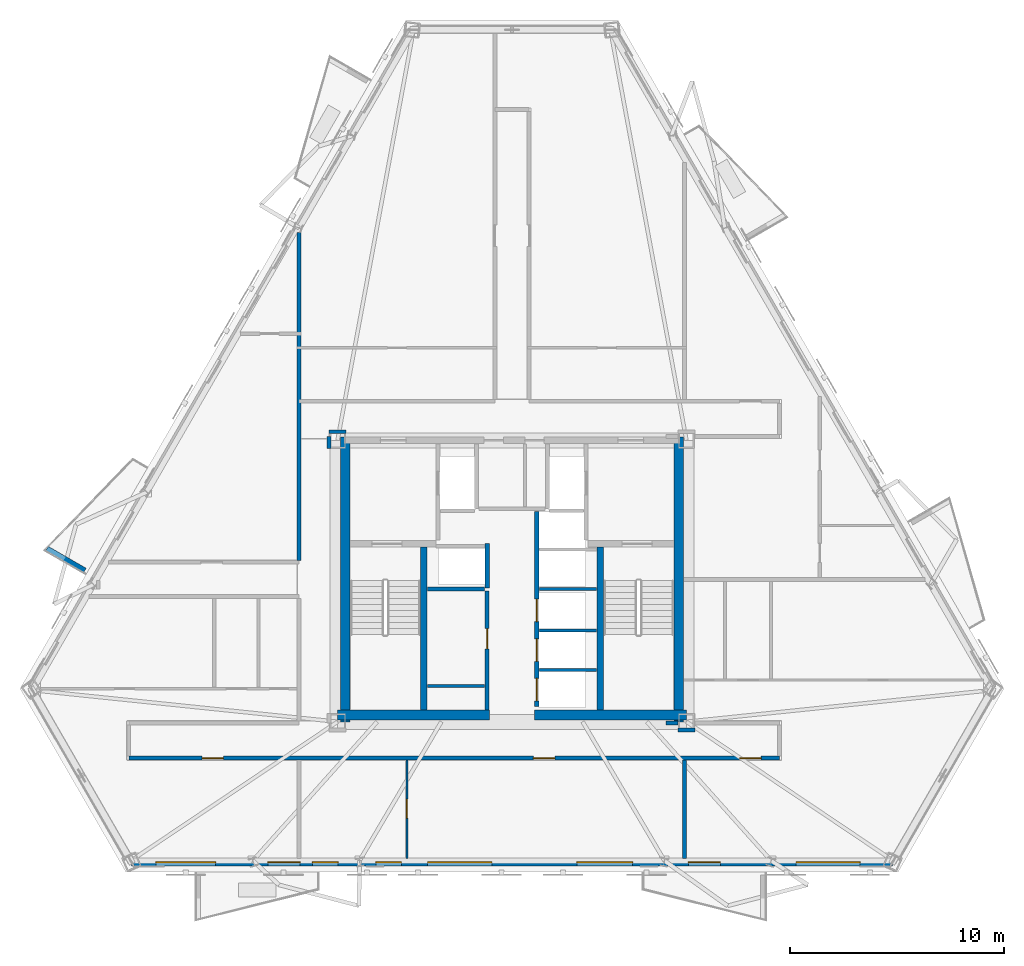
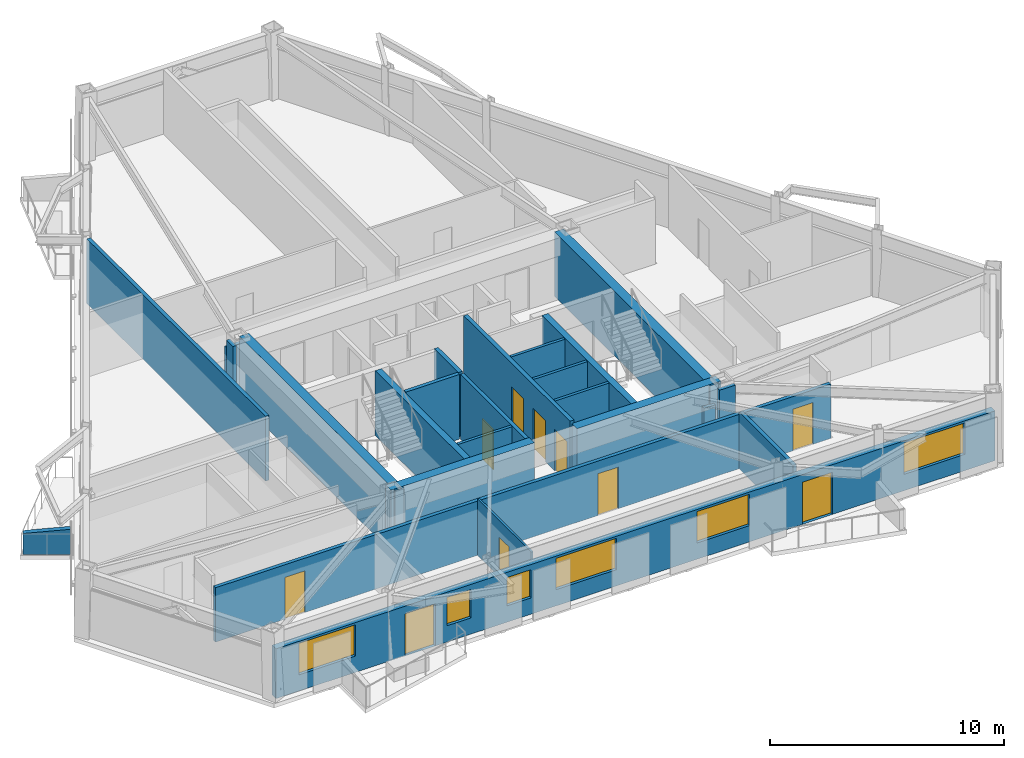
# One storey, part 3 of 9: 24 walls, 10 doors, 6 windows, 16 openings.
"""IFC4 building model written with IfcOpenShell, lengths in metres."""

from ifc_helpers import new_model, si_unit, direction, frame, frame_2d, origin, place, context, subcontext, project, spatial, polyline, rectangle, outline, extrude, material, layer, layer_set, type_object, element, fill, save


model = new_model("IFC4")

# Units and contexts
model_context = context("Model", 3, precision=1e-05, world=origin(), true_north=direction((0.0, 1.0)))
body_context = subcontext(model_context, "Body", "Model", "MODEL_VIEW")
ifc_project = project(units=[si_unit("LENGTHUNIT", "METRE"), si_unit("AREAUNIT", "SQUARE_METRE"), si_unit("VOLUMEUNIT", "CUBIC_METRE"), si_unit("PLANEANGLEUNIT", "RADIAN"), si_unit("MASSUNIT", "GRAM", prefix="KILO")], contexts=[model_context])

# Site, building, storey
site_placement = place(None, origin())
site = spatial("IfcSite", under=ifc_project, at=site_placement, CompositionType="ELEMENT")
building_placement = place(site_placement, origin())
building = spatial("IfcBuilding", under=site, at=building_placement, Name="Oramaril Tower", CompositionType="ELEMENT")
storey_placement = place(building_placement, frame((0.0, 0.0, 153.0)))
storey = spatial("IfcBuildingStorey", under=building, at=storey_placement, Name="L40", CompositionType="ELEMENT", Elevation=153.0)

# Wall, openings, doors, windows
ifc_material_1 = material(Name="Warm Cream Limestone", Category="masonry")
ifc_layer_1 = layer(ifc_material_1, 0.340087890625)
ifc_layer_set_1 = layer_set([ifc_layer_1], Name="WT-EXT34")
wall_type_1 = type_object("IfcWallType", Name="WT-EXT34", PredefinedType="SOLIDWALL", material=ifc_layer_set_1)
wall_1_placement = place(storey_placement, frame((19.730224609375, 4.43408203125, 0.0), z_axis=(0.0, 0.0, 1.0), x_axis=(1.0, 0.0, 0.0)))
wall_1 = element("IfcWall", 1, at=wall_1_placement, inside=storey, type_object=wall_type_1, Name="L40 Tower Limestone Facade Wall 2M", PredefinedType="SOLIDWALL", context=body_context, shape_type="SweptSolid", body=[
    extrude(rectangle(XDim=35.53955078125, YDim=0.340087890625, at=frame_2d((17.769775390625, 0.0))), origin(), (0.0, 0.0, 1.0), 2.60009765625),
])
opening_1_placement = place(wall_1_placement, frame((6.369384765625, 0.0, 0.0)))
opening_1 = element("IfcOpeningElement", 2, at=opening_1_placement, cuts=wall_1, Name="Opening D-L40-BAL-S1", PredefinedType="OPENING", context=body_context, shape_type="SweptSolid", body=[
    extrude(rectangle(XDim=1.5, YDim=2.199951171875, at=frame_2d((0.75, 1.10009765625))), frame((0.0, 0.169921875, 0.0), z_axis=(0.0, -1.0, 0.0), x_axis=(1.0, 0.0, 0.0)), (0.0, 0.0, 1.0), 0.340087890625),
])
opening_2_placement = place(wall_1_placement, frame((26.005126953125, 0.0, 0.0)))
opening_2 = element("IfcOpeningElement", 3, at=opening_2_placement, cuts=wall_1, Name="Opening D-L40-BAL-S2", PredefinedType="OPENING", context=body_context, shape_type="SweptSolid", body=[
    extrude(rectangle(XDim=1.5, YDim=2.199951171875, at=frame_2d((0.75, 1.10009765625))), frame((0.0, 0.169921875, 0.0), z_axis=(0.0, -1.0, 0.0), x_axis=(1.0, 0.0, 0.0)), (0.0, 0.0, 1.0), 0.340087890625),
])
opening_3_placement = place(wall_1_placement, frame((13.828369140625, 0.0, 0.85009765625)))
opening_3 = element("IfcOpeningElement", 4, at=opening_3_placement, cuts=wall_1, Name="Opening WN-10", PredefinedType="OPENING", context=body_context, shape_type="SweptSolid", body=[
    extrude(rectangle(XDim=3.0, YDim=1.639892578125, at=frame_2d((1.5, 0.81982421875))), frame((0.0, 0.169921875, 0.0), z_axis=(0.0, -1.0, 0.0), x_axis=(1.0, 0.0, 0.0)), (0.0, 0.0, 1.0), 0.340087890625),
])
opening_4_placement = place(wall_1_placement, frame((20.80517578125, 0.0, 0.85009765625)))
opening_4 = element("IfcOpeningElement", 5, at=opening_4_placement, cuts=wall_1, Name="Opening WN-02", PredefinedType="OPENING", context=body_context, shape_type="SweptSolid", body=[
    extrude(rectangle(XDim=2.60009765625, YDim=1.639892578125, at=frame_2d((1.300048828125, 0.81982421875))), frame((0.0, 0.169921875, 0.0), z_axis=(0.0, -1.0, 0.0), x_axis=(1.0, 0.0, 0.0)), (0.0, 0.0, 1.0), 0.340087890625),
])
opening_5_placement = place(wall_1_placement, frame((8.446533203125, 0.0, 0.85009765625)))
opening_5 = element("IfcOpeningElement", 6, at=opening_5_placement, cuts=wall_1, Name="Opening WN-09", PredefinedType="OPENING", context=body_context, shape_type="SweptSolid", body=[
    extrude(rectangle(XDim=1.199951171875, YDim=1.47998046875, at=frame_2d((0.60009765625, 0.739990234375))), frame((0.0, 0.169921875, 0.0), z_axis=(0.0, -1.0, 0.0), x_axis=(1.0, 0.0, 0.0)), (0.0, 0.0, 1.0), 0.340087890625),
])
opening_6_placement = place(wall_1_placement, frame((11.406982421875, 0.0, 0.85009765625)))
opening_6 = element("IfcOpeningElement", 7, at=opening_6_placement, cuts=wall_1, Name="Opening WN-09", PredefinedType="OPENING", context=body_context, shape_type="SweptSolid", body=[
    extrude(rectangle(XDim=1.199951171875, YDim=1.47998046875, at=frame_2d((0.60009765625, 0.739990234375))), frame((0.0, 0.169921875, 0.0), z_axis=(0.0, -1.0, 0.0), x_axis=(1.0, 0.0, 0.0)), (0.0, 0.0, 1.0), 0.340087890625),
])
opening_7_placement = place(wall_1_placement, frame((1.130615234375, 0.0, 0.85009765625)))
opening_7 = element("IfcOpeningElement", 8, at=opening_7_placement, cuts=wall_1, Name="Opening WN-01", PredefinedType="OPENING", context=body_context, shape_type="SweptSolid", body=[
    extrude(rectangle(XDim=2.800048828125, YDim=1.639892578125, at=frame_2d((1.39990234375, 0.81982421875))), frame((0.0, 0.169921875, 0.0), z_axis=(0.0, -1.0, 0.0), x_axis=(1.0, 0.0, 0.0)), (0.0, 0.0, 1.0), 0.340087890625),
])
opening_8_placement = place(wall_1_placement, frame((31.03662109375, 0.0, 0.85009765625)))
opening_8 = element("IfcOpeningElement", 9, at=opening_8_placement, cuts=wall_1, Name="Opening WN-10", PredefinedType="OPENING", context=body_context, shape_type="SweptSolid", body=[
    extrude(rectangle(XDim=3.0, YDim=1.639892578125, at=frame_2d((1.5, 0.81982421875))), frame((0.0, 0.169921875, 0.0), z_axis=(0.0, -1.0, 0.0), x_axis=(1.0, 0.0, 0.0)), (0.0, 0.0, 1.0), 0.340087890625),
])
ifc_material_2 = material(Name="Anodised Aluminium 6063-T6", Category="aluminium")
door_type_1 = type_object("IfcDoorType", Name="DT-BAL", OperationType="NOTDEFINED", PredefinedType="DOOR", material=ifc_material_2)
door_1_placement = place(opening_1_placement, origin())
door_1 = element("IfcDoor", 10, at=door_1_placement, inside=storey, type_object=door_type_1, Name="L40 Balcony Glazed Door L40-BAL-S1", OperationType="SINGLE_SWING_LEFT", OverallHeight=2.199951171875, OverallWidth=1.5, PredefinedType="DOOR", context=body_context, shape_type="SweptSolid", body=[
    extrude(rectangle(XDim=1.5, YDim=2.199951171875, at=frame_2d((0.75, 1.10009765625))), frame((0.0, 0.02490234375, 0.0), z_axis=(0.0, -1.0, 0.0), x_axis=(1.0, 0.0, 0.0)), (0.0, 0.0, 1.0), 0.050048828125),
])
fill(opening_1, door_1)
door_2_placement = place(opening_2_placement, origin())
door_2 = element("IfcDoor", 11, at=door_2_placement, inside=storey, type_object=door_type_1, Name="L40 Balcony Glazed Door L40-BAL-S2", OperationType="SINGLE_SWING_RIGHT", OverallHeight=2.199951171875, OverallWidth=1.5, PredefinedType="DOOR", context=body_context, shape_type="SweptSolid", body=[
    extrude(rectangle(XDim=1.5, YDim=2.199951171875, at=frame_2d((0.75, 1.10009765625))), frame((0.0, 0.02490234375, 0.0), z_axis=(0.0, -1.0, 0.0), x_axis=(1.0, 0.0, 0.0)), (0.0, 0.0, 1.0), 0.050048828125),
])
fill(opening_2, door_2)
ifc_material_3 = material(Name="Coastal Low-E Insulated Glass", Category="glass")
window_type_1 = type_object("IfcWindowType", Name="WNT-01", PartitioningType="SINGLE_PANEL", PredefinedType="WINDOW", material=ifc_material_3)
window_1_placement = place(opening_7_placement, origin())
window_1 = element("IfcWindow", 12, at=window_1_placement, inside=storey, type_object=window_type_1, Name="L40 Chicago Bay Window WN-01", OverallHeight=1.639892578125, OverallWidth=2.800048828125, PartitioningType="SINGLE_PANEL", PredefinedType="WINDOW", context=body_context, shape_type="SweptSolid", body=[
    extrude(rectangle(XDim=2.800048828125, YDim=1.639892578125, at=frame_2d((1.39990234375, 0.81982421875))), frame((0.0, 0.030029296875, 0.0), z_axis=(0.0, -1.0, 0.0), x_axis=(1.0, 0.0, 0.0)), (0.0, 0.0, 1.0), 0.06005859375),
])
fill(opening_7, window_1)
ifc_material_4 = material(Name="Coastal Low-E Insulated Glass", Category="glass")
window_type_2 = type_object("IfcWindowType", Name="WNT-02", PartitioningType="SINGLE_PANEL", PredefinedType="WINDOW", material=ifc_material_4)
window_2_placement = place(opening_4_placement, origin())
window_2 = element("IfcWindow", 13, at=window_2_placement, inside=storey, type_object=window_type_2, Name="L40 Chicago Bay Window WN-02", OverallHeight=1.639892578125, OverallWidth=2.60009765625, PartitioningType="SINGLE_PANEL", PredefinedType="WINDOW", context=body_context, shape_type="SweptSolid", body=[
    extrude(rectangle(XDim=2.60009765625, YDim=1.639892578125, at=frame_2d((1.300048828125, 0.81982421875))), frame((0.0, 0.030029296875, 0.0), z_axis=(0.0, -1.0, 0.0), x_axis=(1.0, 0.0, 0.0)), (0.0, 0.0, 1.0), 0.06005859375),
])
fill(opening_4, window_2)
ifc_material_5 = material(Name="Coastal Low-E Insulated Glass", Category="glass")
window_type_3 = type_object("IfcWindowType", Name="WNT-09", PartitioningType="SINGLE_PANEL", PredefinedType="WINDOW", material=ifc_material_5)
window_3_placement = place(opening_5_placement, origin())
window_3 = element("IfcWindow", 14, at=window_3_placement, inside=storey, type_object=window_type_3, Name="L40 Chicago Bay Window WN-09", OverallHeight=1.47998046875, OverallWidth=1.199951171875, PartitioningType="SINGLE_PANEL", PredefinedType="WINDOW", context=body_context, shape_type="SweptSolid", body=[
    extrude(rectangle(XDim=1.199951171875, YDim=1.47998046875, at=frame_2d((0.60009765625, 0.739990234375))), frame((0.0, 0.030029296875, 0.0), z_axis=(0.0, -1.0, 0.0), x_axis=(1.0, 0.0, 0.0)), (0.0, 0.0, 1.0), 0.06005859375),
])
fill(opening_5, window_3)
window_4_placement = place(opening_6_placement, origin())
window_4 = element("IfcWindow", 15, at=window_4_placement, inside=storey, type_object=window_type_3, Name="L40 Chicago Bay Window WN-09", OverallHeight=1.47998046875, OverallWidth=1.199951171875, PartitioningType="SINGLE_PANEL", PredefinedType="WINDOW", context=body_context, shape_type="SweptSolid", body=[
    extrude(rectangle(XDim=1.199951171875, YDim=1.47998046875, at=frame_2d((0.60009765625, 0.739990234375))), frame((0.0, 0.030029296875, 0.0), z_axis=(0.0, -1.0, 0.0), x_axis=(1.0, 0.0, 0.0)), (0.0, 0.0, 1.0), 0.06005859375),
])
fill(opening_6, window_4)
ifc_material_6 = material(Name="Coastal Low-E Insulated Glass", Category="glass")
window_type_4 = type_object("IfcWindowType", Name="WNT-10", PartitioningType="SINGLE_PANEL", PredefinedType="WINDOW", material=ifc_material_6)
window_5_placement = place(opening_3_placement, origin())
window_5 = element("IfcWindow", 16, at=window_5_placement, inside=storey, type_object=window_type_4, Name="L40 Chicago Bay Window WN-10", OverallHeight=1.639892578125, OverallWidth=3.0, PartitioningType="SINGLE_PANEL", PredefinedType="WINDOW", context=body_context, shape_type="SweptSolid", body=[
    extrude(rectangle(XDim=3.0, YDim=1.639892578125, at=frame_2d((1.5, 0.81982421875))), frame((0.0, 0.030029296875, 0.0), z_axis=(0.0, -1.0, 0.0), x_axis=(1.0, 0.0, 0.0)), (0.0, 0.0, 1.0), 0.06005859375),
])
fill(opening_3, window_5)
window_6_placement = place(opening_8_placement, origin())
window_6 = element("IfcWindow", 17, at=window_6_placement, inside=storey, type_object=window_type_4, Name="L40 Chicago Bay Window WN-10", OverallHeight=1.639892578125, OverallWidth=3.0, PartitioningType="SINGLE_PANEL", PredefinedType="WINDOW", context=body_context, shape_type="SweptSolid", body=[
    extrude(rectangle(XDim=3.0, YDim=1.639892578125, at=frame_2d((1.5, 0.81982421875))), frame((0.0, 0.030029296875, 0.0), z_axis=(0.0, -1.0, 0.0), x_axis=(1.0, 0.0, 0.0)), (0.0, 0.0, 1.0), 0.06005859375),
])
fill(opening_8, window_6)

# Wall
ifc_material_7 = material(Name="Concrete C40/50", Category="concrete")
ifc_layer_2 = layer(ifc_material_7, 0.22998046875)
ifc_layer_set_2 = layer_set([ifc_layer_2], Name="WT-PRP23")
wall_type_2 = type_object("IfcWallType", Name="WT-PRP23", PredefinedType="PARAPET", material=ifc_layer_set_2)
wall_2_placement = place(storey_placement, frame((17.5498046875, 18.0732421875, 0.0), z_axis=(0.0, 0.0, 1.0), x_axis=(-0.866012356593, 0.500022597718, 0.0)))
element("IfcWall", 18, at=wall_2_placement, inside=storey, type_object=wall_type_2, Name="L40 Trapezoidal Balcony Frame Cheek L40-BAL-NW2-R", PredefinedType="PARAPET", context=body_context, shape_type="SweptSolid", body=[
    extrude(outline(polyline([(0.0, 0.0), (2.0419921875, 0.0), (2.0419921875, 1.10009765625), (0.0, 1.320068359375), (0.0, 0.0)])), frame((0.0, 0.114990234375, 0.0), z_axis=(0.0, -1.0, 0.0), x_axis=(1.0, 0.0, 0.0)), (0.0, 0.0, 1.0), 0.22998046875),
])

# Wall, opening, door
ifc_material_8 = material(Name="Acoustic Gypsum Board Partition")
ifc_layer_3 = layer(ifc_material_8, 0.10009765625)
ifc_layer_set_3 = layer_set([ifc_layer_3], Name="WT-PT10")
wall_type_3 = type_object("IfcWallType", Name="WT-PT10", PredefinedType="PARTITIONING", material=ifc_layer_set_3)
wall_3_placement = place(storey_placement, frame((32.590087890625, 4.608154296875, 0.0), z_axis=(0.0, 0.0, 1.0), x_axis=(0.0, 1.0, 0.0)))
wall_3 = element("IfcWall", 19, at=wall_3_placement, inside=storey, type_object=wall_type_3, Name="L40 Interior Partition PT-10", PredefinedType="PARTITIONING", context=body_context, shape_type="SweptSolid", body=[
    extrude(rectangle(XDim=4.597900390625, YDim=0.10009765625, at=frame_2d((2.298828125, 0.0))), origin(), (0.0, 0.0, 1.0), 2.966064453125),
])
opening_9_placement = place(wall_3_placement, frame((1.89404296875, 0.0, 0.0)))
opening_9 = element("IfcOpeningElement", 20, at=opening_9_placement, cuts=wall_3, Name="Opening D-L40-15", PredefinedType="OPENING", context=body_context, shape_type="SweptSolid", body=[
    extrude(rectangle(XDim=0.8798828125, YDim=2.080078125, at=frame_2d((0.43994140625, 1.0400390625))), frame((0.0, 0.050048828125, 0.0), z_axis=(0.0, -1.0, 0.0), x_axis=(1.0, 0.0, 0.0)), (0.0, 0.0, 1.0), 0.10009765625),
])
ifc_material_9 = material(Name="FSC Brazilian Freijo Hardwood", Category="wood")
door_type_2 = type_object("IfcDoorType", Name="DT-BATH", OperationType="NOTDEFINED", PredefinedType="DOOR", material=ifc_material_9)
door_3_placement = place(opening_9_placement, origin())
door_3 = element("IfcDoor", 21, at=door_3_placement, inside=storey, type_object=door_type_2, Name="L40 Flat L40-U1 Bathroom Door D-L40-15", OperationType="SINGLE_SWING_LEFT", OverallHeight=2.080078125, OverallWidth=0.8798828125, PredefinedType="DOOR", context=body_context, shape_type="SweptSolid", body=[
    extrude(rectangle(XDim=0.8798828125, YDim=2.080078125, at=frame_2d((0.43994140625, 1.0400390625))), frame((0.0, 0.02490234375, 0.0), z_axis=(0.0, -1.0, 0.0), x_axis=(1.0, 0.0, 0.0)), (0.0, 0.0, 1.0), 0.050048828125),
])
fill(opening_9, door_3)

# Walls
ifc_material_10 = material(Name="Acoustic Gypsum Board Partition")
ifc_layer_4 = layer(ifc_material_10, 0.139892578125)
ifc_layer_set_4 = layer_set([ifc_layer_4], Name="WT-PT14")
wall_type_4 = type_object("IfcWallType", Name="WT-PT14", PredefinedType="PARTITIONING", material=ifc_layer_set_4)
for number, where, z_axis, x_axis, name in (
    (22, (33.56005859375, 12.679931640625, 0.0), (0.0, 0.0, 1.0), (1.0, 0.0, 0.0), "L40 Freed Shaft South Closure"),
    (23, (38.780029296875, 13.419921875, 0.0), (0.0, 0.0, 1.0), (1.0, 0.0, 0.0), "L40 East Lift Divider"),
    (24, (38.780029296875, 15.27001953125, 0.0), (0.0, 0.0, 1.0), (1.0, 0.0, 0.0), "L40 East Lift Divider"),
    (25, (38.780029296875, 17.199951171875, 0.0), (0.0, 0.0, 1.0), (1.0, 0.0, 0.0), "L40 East Lift Divider"),
):
    element("IfcWall", number, at=place(storey_placement, frame(where, z_axis=z_axis, x_axis=x_axis)), inside=storey, type_object=wall_type_4, Name=name, PredefinedType="PARTITIONING", context=body_context, shape_type="SweptSolid", body=[
        extrude(rectangle(XDim=2.659912109375, YDim=0.139892578125, at=frame_2d((1.330078125, 0.0))), origin(), (0.0, 0.0, 1.0), 3.3798828125),
    ])
ifc_material_11 = material(Name="Autoclaved Cellular Concrete Block", Category="concrete")
ifc_layer_5 = layer(ifc_material_11, 0.179931640625)
ifc_layer_set_5 = layer_set([ifc_layer_5], Name="WT-PT18")
wall_type_5 = type_object("IfcWallType", Name="WT-PT18", PredefinedType="PARTITIONING", material=ifc_layer_set_5)
wall_4_placement = place(storey_placement, frame((33.56005859375, 17.199951171875, 0.0), z_axis=(0.0, 0.0, 1.0), x_axis=(1.0, 0.0, 0.0)))
element("IfcWall", 26, at=wall_4_placement, inside=storey, type_object=wall_type_5, Name="L40 High-Rise Lift H1 South Wall", PredefinedType="PARTITIONING", context=body_context, shape_type="SweptSolid", body=[
    extrude(rectangle(XDim=2.659912109375, YDim=0.179931640625, at=frame_2d((1.330078125, 0.0))), origin(), (0.0, 0.0, 1.0), 3.3798828125),
])

# Wall, opening, door
wall_5_placement = place(storey_placement, frame((36.340087890625, 11.550048828125, 0.0), z_axis=(0.0, 0.0, 1.0), x_axis=(0.0, 1.0, 0.0)))
wall_5 = element("IfcWall", 27, at=wall_5_placement, inside=storey, type_object=wall_type_5, Name="L40 Freed Shaft Study East Wall", PredefinedType="PARTITIONING", context=body_context, shape_type="SweptSolid", body=[
    extrude(rectangle(XDim=5.550048828125, YDim=0.179931640625, at=frame_2d((2.77490234375, 0.0))), origin(), (0.0, 0.0, 1.0), 3.3798828125),
])
opening_10_placement = place(wall_5_placement, frame((2.85009765625, 0.0, 0.0)))
opening_10 = element("IfcOpeningElement", 28, at=opening_10_placement, cuts=wall_5, Name="Opening D-L40-FL1", PredefinedType="OPENING", context=body_context, shape_type="SweptSolid", body=[
    extrude(rectangle(XDim=0.949951171875, YDim=2.10009765625, at=frame_2d((0.47509765625, 1.050048828125))), frame((0.0, 0.08984375, 0.0), z_axis=(0.0, -1.0, 0.0), x_axis=(1.0, 0.0, 0.0)), (0.0, 0.0, 1.0), 0.179931640625),
])
ifc_material_12 = material(Name="FSC Brazilian Freijo Hardwood", Category="wood")
door_type_3 = type_object("IfcDoorType", Name="DT-STDY", OperationType="NOTDEFINED", PredefinedType="DOOR", material=ifc_material_12)
door_4_placement = place(opening_10_placement, origin())
door_4 = element("IfcDoor", 29, at=door_4_placement, inside=storey, type_object=door_type_3, Name="L40 L40 Residents Library Study Door", OperationType="SINGLE_SWING_LEFT", OverallHeight=2.10009765625, OverallWidth=0.949951171875, PredefinedType="DOOR", context=body_context, shape_type="SweptSolid", body=[
    extrude(rectangle(XDim=0.949951171875, YDim=2.10009765625, at=frame_2d((0.47509765625, 1.050048828125))), frame((0.0, 0.02490234375, 0.0), z_axis=(0.0, -1.0, 0.0), x_axis=(1.0, 0.0, 0.0)), (0.0, 0.0, 1.0), 0.050048828125),
])
fill(opening_10, door_4)

# Wall, openings, doors
wall_6_placement = place(storey_placement, frame((19.60009765625, 9.300048828125, 0.0), z_axis=(0.0, 0.0, 1.0), x_axis=(1.0, 0.0, 0.0)))
wall_6 = element("IfcWall", 30, at=wall_6_placement, inside=storey, type_object=wall_type_5, Name="L40 Interior Partition PT-18", PredefinedType="PARTITIONING", context=body_context, shape_type="SweptSolid", body=[
    extrude(rectangle(XDim=30.39990234375, YDim=0.179931640625, at=frame_2d((15.199951171875, 0.0))), origin(), (0.0, 0.0, 1.0), 2.842041015625),
])
opening_11_placement = place(wall_6_placement, frame((3.42138671875, 0.0, 0.0)))
opening_11 = element("IfcOpeningElement", 31, at=opening_11_placement, cuts=wall_6, Name="Opening D-L40-01", PredefinedType="OPENING", context=body_context, shape_type="SweptSolid", body=[
    extrude(rectangle(XDim=1.0, YDim=2.179931640625, at=frame_2d((0.5, 1.08984375))), frame((0.0, 0.08984375, 0.0), z_axis=(0.0, -1.0, 0.0), x_axis=(1.0, 0.0, 0.0)), (0.0, 0.0, 1.0), 0.179931640625),
])
opening_12_placement = place(wall_6_placement, frame((18.90185546875, 0.0, 0.0)))
opening_12 = element("IfcOpeningElement", 32, at=opening_12_placement, cuts=wall_6, Name="Opening D-L40-02", PredefinedType="OPENING", context=body_context, shape_type="SweptSolid", body=[
    extrude(rectangle(XDim=1.0, YDim=2.179931640625, at=frame_2d((0.5, 1.08984375))), frame((0.0, 0.08984375, 0.0), z_axis=(0.0, -1.0, 0.0), x_axis=(1.0, 0.0, 0.0)), (0.0, 0.0, 1.0), 0.179931640625),
])
opening_13_placement = place(wall_6_placement, frame((28.5322265625, 0.0, 0.0)))
opening_13 = element("IfcOpeningElement", 33, at=opening_13_placement, cuts=wall_6, Name="Opening D-L40-03", PredefinedType="OPENING", context=body_context, shape_type="SweptSolid", body=[
    extrude(rectangle(XDim=1.0, YDim=2.179931640625, at=frame_2d((0.5, 1.08984375))), frame((0.0, 0.08984375, 0.0), z_axis=(0.0, -1.0, 0.0), x_axis=(1.0, 0.0, 0.0)), (0.0, 0.0, 1.0), 0.179931640625),
])
ifc_material_13 = material(Name="FSC Brazilian Freijo Hardwood", Category="wood")
door_type_4 = type_object("IfcDoorType", Name="DT-APT", OperationType="NOTDEFINED", PredefinedType="DOOR", material=ifc_material_13)
door_5_placement = place(opening_11_placement, origin())
door_5 = element("IfcDoor", 34, at=door_5_placement, inside=storey, type_object=door_type_4, Name="L40 Flat L40-U2 Penthouse Living and Dining Room Door D-L40-01", OperationType="SINGLE_SWING_LEFT", OverallHeight=2.179931640625, OverallWidth=1.0, PredefinedType="DOOR", context=body_context, shape_type="SweptSolid", body=[
    extrude(rectangle(XDim=1.0, YDim=2.179931640625, at=frame_2d((0.5, 1.08984375))), frame((0.0, 0.02490234375, 0.0), z_axis=(0.0, -1.0, 0.0), x_axis=(1.0, 0.0, 0.0)), (0.0, 0.0, 1.0), 0.050048828125),
])
fill(opening_11, door_5)
door_6_placement = place(opening_12_placement, origin())
door_6 = element("IfcDoor", 35, at=door_6_placement, inside=storey, type_object=door_type_4, Name="L40 Flat L40-U1 Kitchen and Studio Apartment Door D-L40-02", OperationType="SINGLE_SWING_RIGHT", OverallHeight=2.179931640625, OverallWidth=1.0, PredefinedType="DOOR", context=body_context, shape_type="SweptSolid", body=[
    extrude(rectangle(XDim=1.0, YDim=2.179931640625, at=frame_2d((0.5, 1.08984375))), frame((0.0, 0.02490234375, 0.0), z_axis=(0.0, -1.0, 0.0), x_axis=(1.0, 0.0, 0.0)), (0.0, 0.0, 1.0), 0.050048828125),
])
fill(opening_12, door_6)
door_7_placement = place(opening_13_placement, origin())
door_7 = element("IfcDoor", 36, at=door_7_placement, inside=storey, type_object=door_type_4, Name="L40 Flat L40-U4 Penthouse Living and Dining Room Door D-L40-03", OperationType="SINGLE_SWING_LEFT", OverallHeight=2.179931640625, OverallWidth=1.0, PredefinedType="DOOR", context=body_context, shape_type="SweptSolid", body=[
    extrude(rectangle(XDim=1.0, YDim=2.179931640625, at=frame_2d((0.5, 1.08984375))), frame((0.0, 0.02490234375, 0.0), z_axis=(0.0, -1.0, 0.0), x_axis=(1.0, 0.0, 0.0)), (0.0, 0.0, 1.0), 0.050048828125),
])
fill(opening_13, door_7)

# Walls
wall_7_placement = place(storey_placement, frame((45.260009765625, 10.610107421875, 0.0), z_axis=(0.0, 0.0, 1.0), x_axis=(1.0, 0.0, 0.0)))
element("IfcWall", 37, at=wall_7_placement, inside=storey, type_object=wall_type_5, Name="L40 Interior Partition PT-18", PredefinedType="PARTITIONING", context=body_context, shape_type="SweptSolid", body=[
    extrude(rectangle(XDim=0.780029296875, YDim=0.179931640625, at=frame_2d((0.39013671875, 0.0))), origin(), (0.0, 0.0, 1.0), 3.3798828125),
])
wall_8_placement = place(storey_placement, frame((44.695068359375, 10.949951171875, 0.0), z_axis=(0.0, 0.0, 1.0), x_axis=(1.0, 0.0, 0.0)))
element("IfcWall", 38, at=wall_8_placement, inside=storey, type_object=wall_type_5, Name="L40 Interior Partition PT-18", PredefinedType="PARTITIONING", context=body_context, shape_type="SweptSolid", body=[
    extrude(rectangle(XDim=0.56494140625, YDim=0.179931640625, at=frame_2d((0.282470703125, 0.0))), origin(), (0.0, 0.0, 1.0), 2.419921875),
])
wall_9_placement = place(storey_placement, frame((28.955078125, 24.550048828125, 0.0), z_axis=(0.0, 0.0, 1.0), x_axis=(1.0, 0.0, 0.0)))
element("IfcWall", 39, at=wall_9_placement, inside=storey, type_object=wall_type_5, Name="L40 Interior Partition PT-18", PredefinedType="PARTITIONING", context=body_context, shape_type="SweptSolid", body=[
    extrude(rectangle(XDim=0.7900390625, YDim=0.179931640625, at=frame_2d((0.39501953125, 0.0))), origin(), (0.0, 0.0, 1.0), 2.842041015625),
])
wall_10_placement = place(storey_placement, frame((27.550048828125, 18.5439453125, 0.0), z_axis=(0.0, 0.0, 1.0), x_axis=(0.0, 1.0, 0.0)))
element("IfcWall", 40, at=wall_10_placement, inside=storey, type_object=wall_type_5, Name="L40 Interior Partition PT-18", PredefinedType="PARTITIONING", context=body_context, shape_type="SweptSolid", body=[
    extrude(rectangle(XDim=15.30615234375, YDim=0.179931640625, at=frame_2d((7.653076171875, 0.0))), origin(), (0.0, 0.0, 1.0), 3.3798828125),
])
wall_11_placement = place(storey_placement, frame((28.949951171875, 23.7548828125, 0.0), z_axis=(0.0, 0.0, 1.0), x_axis=(0.0, 1.0, 0.0)))
element("IfcWall", 41, at=wall_11_placement, inside=storey, type_object=wall_type_5, Name="L40 Interior Partition PT-18", PredefinedType="PARTITIONING", context=body_context, shape_type="SweptSolid", body=[
    extrude(rectangle(XDim=0.565185546875, YDim=0.179931640625, at=frame_2d((0.28271484375, 0.0))), origin(), (0.0, 0.0, 1.0), 3.3798828125),
])
wall_12_placement = place(storey_placement, frame((45.56005859375, 4.608154296875, 0.0), z_axis=(0.0, 0.0, 1.0), x_axis=(0.0, 1.0, 0.0)))
element("IfcWall", 42, at=wall_12_placement, inside=storey, type_object=wall_type_5, Name="L40 Interior Partition PT-18", PredefinedType="PARTITIONING", context=body_context, shape_type="SweptSolid", body=[
    extrude(rectangle(XDim=4.597900390625, YDim=0.179931640625, at=frame_2d((2.298828125, 0.0))), origin(), (0.0, 0.0, 1.0), 2.966064453125),
])
ifc_material_14 = material(Name="Concrete C50/60", Category="concrete")
ifc_layer_6 = layer(ifc_material_14, 0.300048828125)
ifc_layer_set_6 = layer_set([ifc_layer_6], Name="WT-SH30")
wall_type_6 = type_object("IfcWallType", Name="WT-SH30", PredefinedType="SHEAR", material=ifc_layer_set_6)
for number, where, z_axis, x_axis, name in (
    (43, (33.3798828125, 11.5400390625, 0.0), (0.0, 0.0, 1.0), (0.0, 1.0, 0.0), "L40 Core Shear Wall CW-ST1E"),
    (44, (41.6201171875, 11.5400390625, 0.0), (0.0, 0.0, 1.0), (0.0, 1.0, 0.0), "L40 Core Shear Wall CW-ST2W"),
):
    element("IfcWall", number, at=place(storey_placement, frame(where, z_axis=z_axis, x_axis=x_axis)), inside=storey, type_object=wall_type_6, Name=name, PredefinedType="SHEAR", context=body_context, shape_type="SweptSolid", body=[
        extrude(rectangle(XDim=7.619873046875, YDim=0.300048828125, at=frame_2d((3.81005859375, 0.0))), origin(), (0.0, 0.0, 1.0), 3.3798828125),
    ])
ifc_material_15 = material(Name="Concrete C50/60", Category="concrete")
ifc_layer_7 = layer(ifc_material_15, 0.449951171875)
ifc_layer_set_7 = layer_set([ifc_layer_7], Name="WT-SH45")
wall_type_7 = type_object("IfcWallType", Name="WT-SH45", PredefinedType="SHEAR", material=ifc_layer_set_7)
for number, where, z_axis, x_axis, name in (
    (45, (29.715087890625, 11.0, 0.0), (0.0, 0.0, 1.0), (0.0, 1.0, 0.0), "L40 Core Shear Wall CW-W"),
    (46, (45.284912109375, 11.0, 0.0), (0.0, 0.0, 1.0), (0.0, 1.0, 0.0), "L40 Core Shear Wall CW-E"),
):
    element("IfcWall", number, at=place(storey_placement, frame(where, z_axis=z_axis, x_axis=x_axis)), inside=storey, type_object=wall_type_7, Name=name, PredefinedType="SHEAR", context=body_context, shape_type="SweptSolid", body=[
        extrude(rectangle(XDim=13.300048828125, YDim=0.449951171875, at=frame_2d((6.64990234375, 0.0))), origin(), (0.0, 0.0, 1.0), 3.3798828125),
    ])
for number, where, z_axis, x_axis, name in (
    (47, (29.35009765625, 11.31494140625, 0.0), (0.0, 0.0, 1.0), (1.0, 0.0, 0.0), "L40 Core Shear Wall CW-SW"),
    (48, (38.550048828125, 11.31494140625, 0.0), (0.0, 0.0, 1.0), (1.0, 0.0, 0.0), "L40 Core Shear Wall CW-SE"),
):
    element("IfcWall", number, at=place(storey_placement, frame(where, z_axis=z_axis, x_axis=x_axis)), inside=storey, type_object=wall_type_7, Name=name, PredefinedType="SHEAR", context=body_context, shape_type="SweptSolid", body=[
        extrude(rectangle(XDim=7.099853515625, YDim=0.449951171875, at=frame_2d((3.5498046875, 0.0))), origin(), (0.0, 0.0, 1.0), 3.3798828125),
    ])
ifc_material_16 = material(Name="Autoclaved Cellular Concrete Block", Category="concrete")
ifc_layer_8 = layer(ifc_material_16, 0.199951171875)
ifc_layer_set_8 = layer_set([ifc_layer_8], Name="WT-SHF20")
wall_type_8 = type_object("IfcWallType", Name="WT-SHF20", PredefinedType="PARTITIONING", material=ifc_layer_set_8)
wall_13_placement = place(storey_placement, frame((36.340087890625, 17.25, 0.0), z_axis=(0.0, 0.0, 1.0), x_axis=(0.0, 1.0, 0.0)))
element("IfcWall", 49, at=wall_13_placement, inside=storey, type_object=wall_type_8, Name="L40 High-Rise Lift H1 Front Wall", PredefinedType="PARTITIONING", context=body_context, shape_type="SweptSolid", body=[
    extrude(rectangle(XDim=2.070068359375, YDim=0.199951171875, at=frame_2d((1.03515625, 0.0))), origin(), (0.0, 0.0, 1.0), 3.3798828125),
])

# Wall, openings, doors
wall_14_placement = place(storey_placement, frame((38.659912109375, 11.719970703125, 0.0), z_axis=(0.0, 0.0, 1.0), x_axis=(0.0, 1.0, 0.0)))
wall_14 = element("IfcWall", 50, at=wall_14_placement, inside=storey, type_object=wall_type_8, Name="L40 East Lift Bank Front Wall", PredefinedType="PARTITIONING", context=body_context, shape_type="SweptSolid", body=[
    extrude(rectangle(XDim=9.10009765625, YDim=0.199951171875, at=frame_2d((4.550048828125, 0.0))), origin(), (0.0, 0.0, 1.0), 3.3798828125),
])
opening_14_placement = place(wall_14_placement, frame((0.2548828125, 0.0, 0.0)))
opening_14 = element("IfcOpeningElement", 51, at=opening_14_placement, cuts=wall_14, Name="Opening LD-L40-LP-M1", PredefinedType="OPENING", context=body_context, shape_type="SweptSolid", body=[
    extrude(rectangle(XDim=1.050048828125, YDim=2.14990234375, at=frame_2d((0.52490234375, 1.074951171875))), frame((0.0, 0.10009765625, 0.0), z_axis=(0.0, -1.0, 0.0), x_axis=(1.0, 0.0, 0.0)), (0.0, 0.0, 1.0), 0.199951171875),
])
opening_15_placement = place(wall_14_placement, frame((2.10498046875, 0.0, 0.0)))
opening_15 = element("IfcOpeningElement", 52, at=opening_15_placement, cuts=wall_14, Name="Opening LD-L40-LP-M2", PredefinedType="OPENING", context=body_context, shape_type="SweptSolid", body=[
    extrude(rectangle(XDim=1.050048828125, YDim=2.14990234375, at=frame_2d((0.52490234375, 1.074951171875))), frame((0.0, 0.10009765625, 0.0), z_axis=(0.0, -1.0, 0.0), x_axis=(1.0, 0.0, 0.0)), (0.0, 0.0, 1.0), 0.199951171875),
])
opening_16_placement = place(wall_14_placement, frame((3.955078125, 0.0, 0.0)))
opening_16 = element("IfcOpeningElement", 53, at=opening_16_placement, cuts=wall_14, Name="Opening LD-L40-LP-M3", PredefinedType="OPENING", context=body_context, shape_type="SweptSolid", body=[
    extrude(rectangle(XDim=1.050048828125, YDim=2.14990234375, at=frame_2d((0.52490234375, 1.074951171875))), frame((0.0, 0.10009765625, 0.0), z_axis=(0.0, -1.0, 0.0), x_axis=(1.0, 0.0, 0.0)), (0.0, 0.0, 1.0), 0.199951171875),
])
ifc_material_17 = material(Name="Stainless Steel 316L", Category="steel")
door_type_5 = type_object("IfcDoorType", Name="DT-LD2", OperationType="NOTDEFINED", PredefinedType="DOOR", material=ifc_material_17)
door_8_placement = place(opening_14_placement, origin())
door_8 = element("IfcDoor", 54, at=door_8_placement, inside=storey, type_object=door_type_5, Name="L40 Lift LP-M1 Sliding Landing Door", OperationType="SLIDING_TO_RIGHT", OverallHeight=2.14990234375, OverallWidth=1.050048828125, PredefinedType="DOOR", context=body_context, shape_type="SweptSolid", body=[
    extrude(rectangle(XDim=1.050048828125, YDim=2.14990234375, at=frame_2d((0.52490234375, 1.074951171875))), frame((0.0, 0.02490234375, 0.0), z_axis=(0.0, -1.0, 0.0), x_axis=(1.0, 0.0, 0.0)), (0.0, 0.0, 1.0), 0.050048828125),
])
fill(opening_14, door_8)
door_9_placement = place(opening_15_placement, origin())
door_9 = element("IfcDoor", 55, at=door_9_placement, inside=storey, type_object=door_type_5, Name="L40 Lift LP-M2 Sliding Landing Door", OperationType="SLIDING_TO_LEFT", OverallHeight=2.14990234375, OverallWidth=1.050048828125, PredefinedType="DOOR", context=body_context, shape_type="SweptSolid", body=[
    extrude(rectangle(XDim=1.050048828125, YDim=2.14990234375, at=frame_2d((0.52490234375, 1.074951171875))), frame((0.0, 0.02490234375, 0.0), z_axis=(0.0, -1.0, 0.0), x_axis=(1.0, 0.0, 0.0)), (0.0, 0.0, 1.0), 0.050048828125),
])
fill(opening_15, door_9)
door_10_placement = place(opening_16_placement, origin())
door_10 = element("IfcDoor", 56, at=door_10_placement, inside=storey, type_object=door_type_5, Name="L40 Lift LP-M3 Sliding Landing Door", OperationType="SLIDING_TO_RIGHT", OverallHeight=2.14990234375, OverallWidth=1.050048828125, PredefinedType="DOOR", context=body_context, shape_type="SweptSolid", body=[
    extrude(rectangle(XDim=1.050048828125, YDim=2.14990234375, at=frame_2d((0.52490234375, 1.074951171875))), frame((0.0, 0.02490234375, 0.0), z_axis=(0.0, -1.0, 0.0), x_axis=(1.0, 0.0, 0.0)), (0.0, 0.0, 1.0), 0.050048828125),
])
fill(opening_16, door_10)

save(model, "model.ifc")
